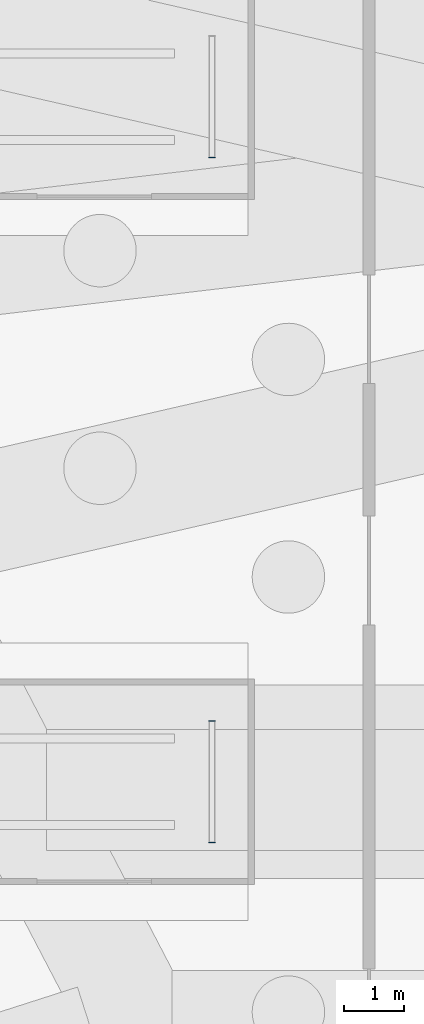
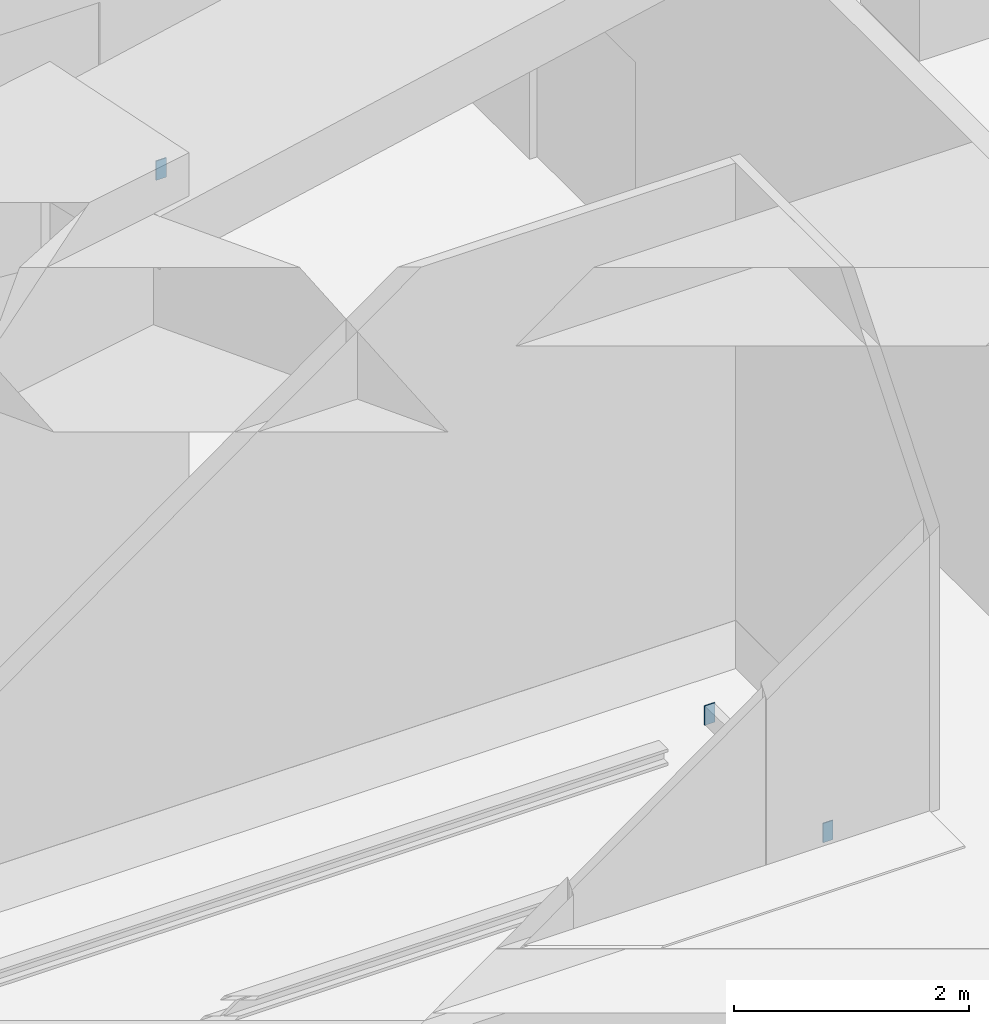
# One storey, part 15 of 18: 3 discrete accessories.
"""IFC4 building model written with IfcOpenShell, lengths in metres."""

from ifc_helpers import new_model, si_unit, direction, frame, origin, origin_2d, place, context, subcontext, project, spatial, rectangle, extrude, material, type_object, element, save


model = new_model("IFC4")

# Units and contexts
model_context = context("Model", 3, precision=1e-05, world=origin(), true_north=direction((0.0, 1.0)))
body_context = subcontext(model_context, "Body", "Model", "MODEL_VIEW")
ifc_project = project(units=[si_unit("LENGTHUNIT", "METRE"), si_unit("AREAUNIT", "SQUARE_METRE"), si_unit("VOLUMEUNIT", "CUBIC_METRE"), si_unit("PLANEANGLEUNIT", "RADIAN"), si_unit("MASSUNIT", "GRAM", prefix="KILO")], contexts=[model_context])

# Site, building, storey
site_placement = place(None, origin())
site = spatial("IfcSite", under=ifc_project, at=site_placement, CompositionType="ELEMENT")
building_placement = place(site_placement, origin())
building = spatial("IfcBuilding", under=site, at=building_placement, Name="Taillehof Tower", CompositionType="ELEMENT")
storey_placement = place(building_placement, frame((0.0, 0.0, -10.39990234375)))
storey = spatial("IfcBuildingStorey", under=building, at=storey_placement, Name="B2", CompositionType="ELEMENT", Elevation=-10.39990234375)

# Discrete accessories
ifc_material = material(Name="Steel S460M", Category="steel")
discrete_accessory_type = type_object("IfcDiscreteAccessoryType", Name="Steel gusset plate", PredefinedType="BRACKET", material=ifc_material)
for number, where, z_axis, x_axis, name in (
    (1, (-22.60009765625, 1.843994140625, -0.501953125), (0.0, 0.0, 1.0), (1.0, 0.0, 0.0), "North track buffer stop end plate 1"),
    (2, (-22.60009765625, -9.506103515625, -0.501953125), (0.0, 0.0, 1.0), (1.0, 0.0, 0.0), "South track buffer stop end plate 1"),
    (3, (-22.60009765625, -7.493896484375, -0.501953125), (0.0, 0.0, 1.0), (1.0, 0.0, 0.0), "South track buffer stop end plate 2"),
):
    element("IfcDiscreteAccessory", number, at=place(storey_placement, frame(where, z_axis=z_axis, x_axis=x_axis)), inside=storey, type_object=discrete_accessory_type, Name=name, PredefinedType="BRACKET", context=body_context, shape_type="SweptSolid", body=[
        extrude(rectangle(XDim=0.10009765625, YDim=0.011962890625, at=origin_2d()), origin(), (0.0, 0.0, 1.0), 0.199951171875),
    ])

save(model, "model.ifc")
